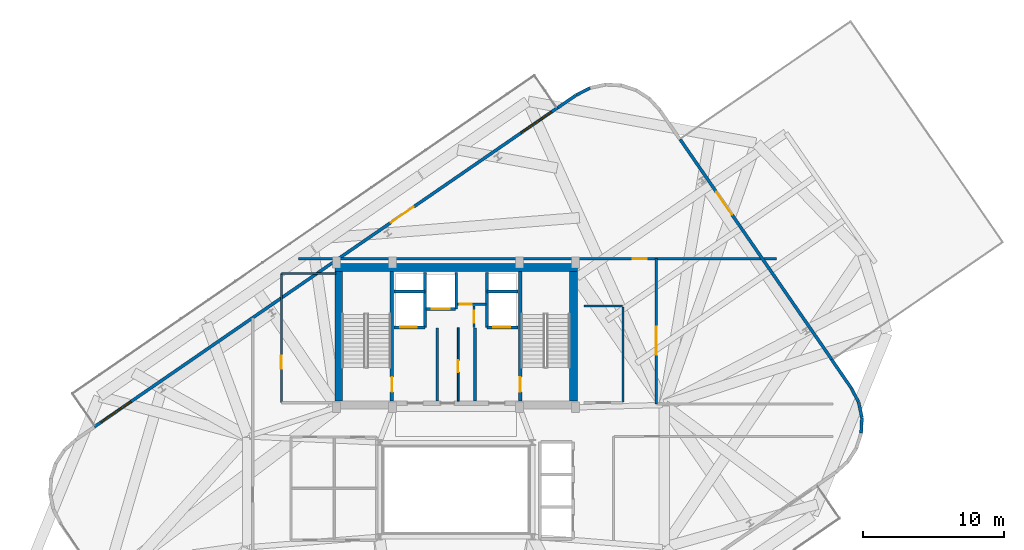
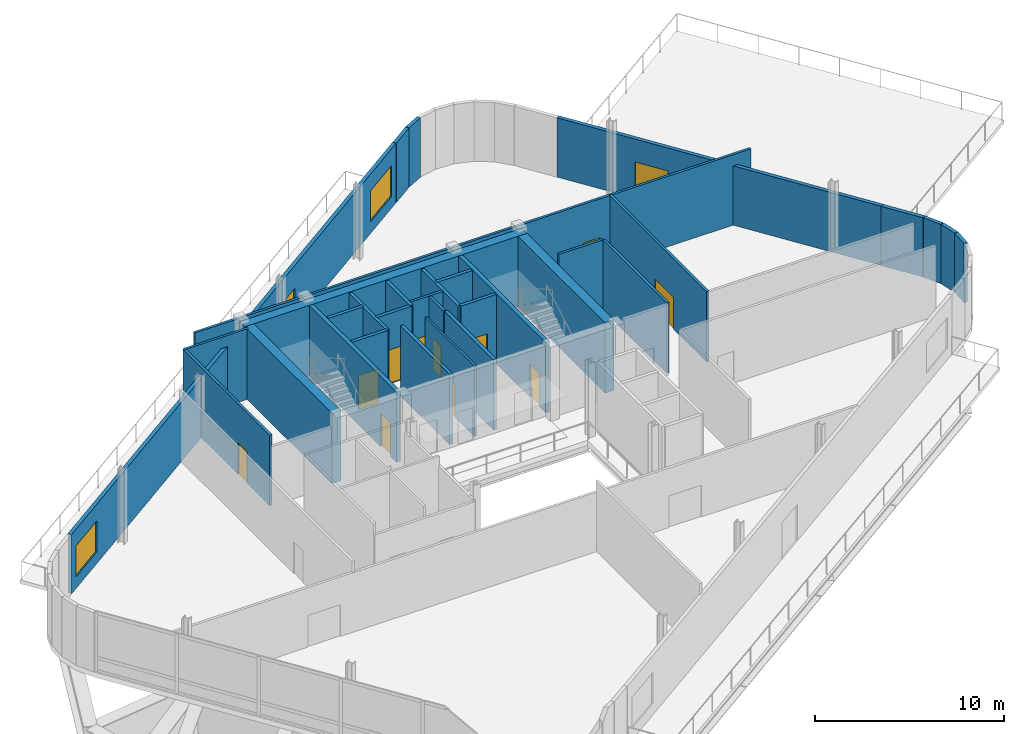
# One storey, part 12 of 18: 32 walls, 13 doors, 2 windows, 15 openings.
"""IFC4 building model written with IfcOpenShell, lengths in metres."""

from ifc_helpers import new_model, si_unit, direction, frame, frame_2d, origin, place, context, subcontext, project, spatial, rectangle, extrude, material, layer, layer_set, type_object, element, fill, save


model = new_model("IFC4")

# Units and contexts
model_context = context("Model", 3, precision=1e-05, world=origin(), true_north=direction((0.0, 1.0)))
body_context = subcontext(model_context, "Body", "Model", "MODEL_VIEW")
ifc_project = project(units=[si_unit("LENGTHUNIT", "METRE"), si_unit("AREAUNIT", "SQUARE_METRE"), si_unit("VOLUMEUNIT", "CUBIC_METRE"), si_unit("PLANEANGLEUNIT", "RADIAN"), si_unit("MASSUNIT", "GRAM", prefix="KILO")], contexts=[model_context])

# Site, building, storey
site_placement = place(None, origin())
site = spatial("IfcSite", under=ifc_project, at=site_placement, CompositionType="ELEMENT")
building_placement = place(site_placement, origin())
building = spatial("IfcBuilding", under=site, at=building_placement, Name="Varnelok Gate Tower", CompositionType="ELEMENT")
storey_placement = place(building_placement, frame((0.0, 0.0, 296.300048828125)))
storey = spatial("IfcBuildingStorey", under=building, at=storey_placement, Name="L76", CompositionType="ELEMENT", Elevation=296.300048828125)

# Wall, openings, door, windows
ifc_material_1 = material(Name="Concrete C45/55", Category="concrete")
ifc_layer_1 = layer(ifc_material_1, 0.219970703125)
ifc_layer_set_1 = layer_set([ifc_layer_1], Name="Concrete C45/55")
wall_type_1 = type_object("IfcWallType", Name="EW-BALC-220", PredefinedType="SOLIDWALL", material=ifc_layer_set_1)
wall_1_placement = place(storey_placement, frame((13.488525390625, 27.3701171875, 0.0), z_axis=(0.0, 0.0, 1.0), x_axis=(0.823532439547, 0.567269178622, 0.0)))
wall_1 = element("IfcWall", 1, at=wall_1_placement, inside=storey, type_object=wall_type_1, Name="L76 North Terrace Envelope Wall 2", PredefinedType="SOLIDWALL", context=body_context, shape_type="SweptSolid", body=[
    extrude(rectangle(XDim=39.999755859375, YDim=0.219970703125, at=frame_2d((20.0, 0.0))), origin(), (0.0, 0.0, 1.0), 3.829833984375),
])
opening_1_placement = place(wall_1_placement, frame((25.598388671875, 0.0, 0.0)))
opening_1 = element("IfcOpeningElement", 2, at=opening_1_placement, cuts=wall_1, Name="Opening LKD-1", PredefinedType="OPENING", context=body_context, shape_type="SweptSolid", body=[
    extrude(rectangle(XDim=1.949951171875, YDim=2.35009765625, at=frame_2d((0.97509765625, 1.175048828125))), frame((0.0, 0.119873046875, 0.0), z_axis=(0.0, -1.0, 0.0), x_axis=(1.0, 0.0, 0.0)), (0.0, 0.0, 1.0), 0.239990234375),
])
opening_2_placement = place(wall_1_placement, frame((0.550048828125, 0.0, 0.75)))
opening_2 = element("IfcOpeningElement", 3, at=opening_2_placement, cuts=wall_1, Name="Opening WN7", PredefinedType="OPENING", context=body_context, shape_type="SweptSolid", body=[
    extrude(rectangle(XDim=2.60009765625, YDim=2.0, at=frame_2d((1.300048828125, 1.0))), frame((0.0, 0.119873046875, 0.0), z_axis=(0.0, -1.0, 0.0), x_axis=(1.0, 0.0, 0.0)), (0.0, 0.0, 1.0), 0.239990234375),
])
opening_3_placement = place(wall_1_placement, frame((36.85009765625, 0.0, 0.75)))
opening_3 = element("IfcOpeningElement", 4, at=opening_3_placement, cuts=wall_1, Name="Opening WN7", PredefinedType="OPENING", context=body_context, shape_type="SweptSolid", body=[
    extrude(rectangle(XDim=2.60009765625, YDim=2.0, at=frame_2d((1.300048828125, 1.0))), frame((0.0, 0.119873046875, 0.0), z_axis=(0.0, -1.0, 0.0), x_axis=(1.0, 0.0, 0.0)), (0.0, 0.0, 1.0), 0.239990234375),
])
ifc_material_2 = material(Name="Anodized Aluminum Alloy 6063-T6", Category="aluminium")
door_type_1 = type_object("IfcDoorType", Name="DR-EXT-LOOK1950", OperationType="DOUBLE_DOOR_SINGLE_SWING", PredefinedType="DOOR", material=ifc_material_2)
door_1_placement = place(opening_1_placement, origin())
door_1 = element("IfcDoor", 5, at=door_1_placement, inside=storey, type_object=door_type_1, Name="L76 North Lookout Glazed Door 2", OperationType="DOUBLE_DOOR_SINGLE_SWING", OverallHeight=2.35009765625, OverallWidth=1.949951171875, PredefinedType="DOOR", context=body_context, shape_type="SweptSolid", body=[
    extrude(rectangle(XDim=1.949951171875, YDim=2.35009765625, at=frame_2d((0.97509765625, 1.175048828125))), frame((0.0, 0.02490234375, 0.0), z_axis=(0.0, -1.0, 0.0), x_axis=(1.0, 0.0, 0.0)), (0.0, 0.0, 1.0), 0.050048828125),
])
fill(opening_1, door_1)
ifc_material_3 = material(Name="Low-E Laminated Double Glazing IGU", Category="glass")
window_type = type_object("IfcWindowType", Name="WN-OBS-2600", PartitioningType="SINGLE_PANEL", PredefinedType="WINDOW", material=ifc_material_3)
window_1_placement = place(opening_2_placement, origin())
window_1 = element("IfcWindow", 6, at=window_1_placement, inside=storey, type_object=window_type, Name="L76 North Vision Window 2.1", OverallHeight=2.0, OverallWidth=2.60009765625, PartitioningType="SINGLE_PANEL", PredefinedType="WINDOW", context=body_context, shape_type="SweptSolid", body=[
    extrude(rectangle(XDim=2.60009765625, YDim=2.0, at=frame_2d((1.300048828125, 1.0))), frame((0.0, 0.030029296875, 0.0), z_axis=(0.0, -1.0, 0.0), x_axis=(1.0, 0.0, 0.0)), (0.0, 0.0, 1.0), 0.06005859375),
])
fill(opening_2, window_1)
window_2_placement = place(opening_3_placement, origin())
window_2 = element("IfcWindow", 7, at=window_2_placement, inside=storey, type_object=window_type, Name="L76 North Vision Window 2.2", OverallHeight=2.0, OverallWidth=2.60009765625, PartitioningType="SINGLE_PANEL", PredefinedType="WINDOW", context=body_context, shape_type="SweptSolid", body=[
    extrude(rectangle(XDim=2.60009765625, YDim=2.0, at=frame_2d((1.300048828125, 1.0))), frame((0.0, 0.030029296875, 0.0), z_axis=(0.0, -1.0, 0.0), x_axis=(1.0, 0.0, 0.0)), (0.0, 0.0, 1.0), 0.06005859375),
])
fill(opening_3, window_2)

# Wall, opening, door
wall_2_placement = place(storey_placement, frame((55.132080078125, 47.810302734375, 0.0), z_axis=(0.0, 0.0, 1.0), x_axis=(0.567274059121, -0.823529077719, 0.0)))
wall_2 = element("IfcWall", 8, at=wall_2_placement, inside=storey, type_object=wall_type_1, Name="L76 East Observation Terrace Portal Wall", PredefinedType="SOLIDWALL", context=body_context, shape_type="SweptSolid", body=[
    extrude(rectangle(XDim=19.000244140625, YDim=0.219970703125, at=frame_2d((9.5, 0.0))), origin(), (0.0, 0.0, 1.0), 3.829833984375),
])
opening_4_placement = place(wall_2_placement, frame((4.5625, 0.0, 0.0)))
opening_4 = element("IfcOpeningElement", 9, at=opening_4_placement, cuts=wall_2, Name="Opening LKD-1", PredefinedType="OPENING", context=body_context, shape_type="SweptSolid", body=[
    extrude(rectangle(XDim=1.949951171875, YDim=2.35009765625, at=frame_2d((0.97509765625, 1.175048828125))), frame((0.0, 0.119873046875, 0.0), z_axis=(0.0, -1.0, 0.0), x_axis=(1.0, 0.0, 0.0)), (0.0, 0.0, 1.0), 0.239990234375),
])
door_2_placement = place(opening_4_placement, origin())
door_2 = element("IfcDoor", 10, at=door_2_placement, inside=storey, type_object=door_type_1, Name="L76 East Cantilever Lookout Glazed Door", OperationType="DOUBLE_DOOR_SINGLE_SWING", OverallHeight=2.35009765625, OverallWidth=1.949951171875, PredefinedType="DOOR", context=body_context, shape_type="SweptSolid", body=[
    extrude(rectangle(XDim=1.949951171875, YDim=2.35009765625, at=frame_2d((0.97509765625, 1.175048828125))), frame((0.0, 0.02490234375, 0.0), z_axis=(0.0, -1.0, 0.0), x_axis=(1.0, 0.0, 0.0)), (0.0, 0.0, 1.0), 0.050048828125),
])
fill(opening_4, door_2)

# Walls
wall_3_placement = place(storey_placement, frame((68.0048828125, 26.920166015625, 0.0), z_axis=(0.0, 0.0, 1.0), x_axis=(0.051197599359, 0.99868854295, 0.0)))
element("IfcWall", 11, at=wall_3_placement, inside=storey, type_object=wall_type_1, Name="L76 Perimeter Facade Closure Wall 12", PredefinedType="SOLIDWALL", context=body_context, shape_type="SweptSolid", body=[
    extrude(rectangle(XDim=1.092041015625, YDim=0.219970703125, at=frame_2d((0.5458984375, 0.0))), origin(), (0.0, 0.0, 1.0), 3.829833984375),
])
wall_4_placement = place(storey_placement, frame((68.0556640625, 28.03515625, 0.0), z_axis=(0.0, 0.0, 1.0), x_axis=(-0.208994780981, 0.977916755927, 0.0)))
element("IfcWall", 12, at=wall_4_placement, inside=storey, type_object=wall_type_1, Name="L76 Perimeter Facade Closure Wall 13", PredefinedType="SOLIDWALL", context=body_context, shape_type="SweptSolid", body=[
    extrude(rectangle(XDim=1.09228515625, YDim=0.219970703125, at=frame_2d((0.546142578125, 0.0))), origin(), (0.0, 0.0, 1.0), 3.829833984375),
])
wall_5_placement = place(storey_placement, frame((67.816162109375, 29.12548828125, 0.0), z_axis=(0.0, 0.0, 1.0), x_axis=(-0.454833347613, 0.890576569363, 0.0)))
element("IfcWall", 13, at=wall_5_placement, inside=storey, type_object=wall_type_1, Name="L76 Perimeter Facade Closure Wall 14", PredefinedType="SOLIDWALL", context=body_context, shape_type="SweptSolid", body=[
    extrude(rectangle(XDim=1.099853515625, YDim=0.219970703125, at=frame_2d((0.5498046875, 0.0))), origin(), (0.0, 0.0, 1.0), 3.829833984375),
])
wall_6_placement = place(storey_placement, frame((67.301513671875, 30.12548828125, 0.0), z_axis=(0.0, 0.0, 1.0), x_axis=(-0.567196370166, 0.823582587037, 0.0)))
element("IfcWall", 14, at=wall_6_placement, inside=storey, type_object=wall_type_1, Name="L76 Perimeter Facade Closure Wall 15", PredefinedType="SOLIDWALL", context=body_context, shape_type="SweptSolid", body=[
    extrude(rectangle(XDim=2.46728515625, YDim=0.219970703125, at=frame_2d((1.233642578125, 0.0))), origin(), (0.0, 0.0, 1.0), 3.829833984375),
])
wall_7_placement = place(storey_placement, frame((48.726318359375, 51.4560546875, 0.0), z_axis=(0.0, 0.0, 1.0), x_axis=(-0.890532584352, -0.454919461231, 0.0)))
element("IfcWall", 15, at=wall_7_placement, inside=storey, type_object=wall_type_1, Name="L76 Perimeter Facade Closure Wall 22", PredefinedType="SOLIDWALL", context=body_context, shape_type="SweptSolid", body=[
    extrude(rectangle(XDim=1.10009765625, YDim=0.219970703125, at=frame_2d((0.550048828125, 0.0))), origin(), (0.0, 0.0, 1.0), 3.829833984375),
])
wall_8_placement = place(storey_placement, frame((47.72607421875, 50.94140625, 0.0), z_axis=(0.0, 0.0, 1.0), x_axis=(-0.823541565937, -0.567255929167, 0.0)))
element("IfcWall", 16, at=wall_8_placement, inside=storey, type_object=wall_type_1, Name="L76 Perimeter Facade Closure Wall 23", PredefinedType="SOLIDWALL", context=body_context, shape_type="SweptSolid", body=[
    extrude(rectangle(XDim=1.567138671875, YDim=0.219970703125, at=frame_2d((0.78369140625, 0.0))), origin(), (0.0, 0.0, 1.0), 3.829833984375),
])

# Wall, opening, door
ifc_material_4 = material(Name="Gypsum Plasterboard Acoustic Partition", Category="gypsum")
ifc_layer_2 = layer(ifc_material_4, 0.125)
ifc_layer_set_2 = layer_set([ifc_layer_2], Name="Gypsum Plasterboard Acoustic Partition")
wall_type_2 = type_object("IfcWallType", Name="PW-PART-125", PredefinedType="PARTITIONING", material=ifc_layer_set_2)
wall_9_placement = place(storey_placement, frame((39.35009765625, 29.199951171875, 0.0), z_axis=(0.0, 0.0, 1.0), x_axis=(0.0, 1.0, 0.0)))
wall_9 = element("IfcWall", 17, at=wall_9_placement, inside=storey, type_object=wall_type_2, Name="Interior Partition", PredefinedType="PARTITIONING", context=body_context, shape_type="SweptSolid", body=[
    extrude(rectangle(XDim=5.219970703125, YDim=0.125, at=frame_2d((2.60986328125, 0.0))), origin(), (0.0, 0.0, 1.0), 4.550048828125),
])
opening_5_placement = place(wall_9_placement, frame((2.050048828125, 0.0, 0.0)))
opening_5 = element("IfcOpeningElement", 18, at=opening_5_placement, cuts=wall_9, Name="Opening D-RS", PredefinedType="OPENING", context=body_context, shape_type="SweptSolid", body=[
    extrude(rectangle(XDim=0.85009765625, YDim=2.050048828125, at=frame_2d((0.425048828125, 1.02490234375))), frame((0.0, 0.072509765625, 0.0), z_axis=(0.0, -1.0, 0.0), x_axis=(1.0, 0.0, 0.0)), (0.0, 0.0, 1.0), 0.14501953125),
])
ifc_material_5 = material(Name="Galvanized Steel Grade S350GD", Category="steel")
door_type_2 = type_object("IfcDoorType", Name="DR-RISER-850", OperationType="NOTDEFINED", PredefinedType="DOOR", material=ifc_material_5)
door_3_placement = place(opening_5_placement, origin())
door_3 = element("IfcDoor", 19, at=door_3_placement, inside=storey, type_object=door_type_2, Name="L76 Housekeeping Linen Door", OperationType="SINGLE_SWING_RIGHT", OverallHeight=2.050048828125, OverallWidth=0.85009765625, PredefinedType="DOOR", context=body_context, shape_type="SweptSolid", body=[
    extrude(rectangle(XDim=0.85009765625, YDim=2.050048828125, at=frame_2d((0.425048828125, 1.02490234375))), frame((0.0, 0.02490234375, 0.0), z_axis=(0.0, -1.0, 0.0), x_axis=(1.0, 0.0, 0.0)), (0.0, 0.0, 1.0), 0.050048828125),
])
fill(opening_5, door_3)

ifc_layer_3 = layer(ifc_material_4, 0.14990234375)
ifc_layer_set_3 = layer_set([ifc_layer_3], Name="Gypsum Plasterboard Acoustic Partition")
wall_type_3 = type_object("IfcWallType", Name="PW-PART-150", PredefinedType="PARTITIONING", material=ifc_layer_set_3)
wall_10_placement = place(storey_placement, frame((53.43994140625, 29.0, 0.0), z_axis=(0.0, 0.0, 1.0), x_axis=(0.0, 1.0, 0.0)))
wall_10 = element("IfcWall", 20, at=wall_10_placement, inside=storey, type_object=wall_type_3, Name="Interior Partition", PredefinedType="PARTITIONING", context=body_context, shape_type="SweptSolid", body=[
    extrude(rectangle(XDim=10.320068359375, YDim=0.14990234375, at=frame_2d((5.16015625, 0.0))), origin(), (0.0, 0.0, 1.0), 4.550048828125),
])
opening_6_placement = place(wall_10_placement, frame((3.5, 0.0, 0.0)))
opening_6 = element("IfcOpeningElement", 21, at=opening_6_placement, cuts=wall_10, Name="Opening D-BL", PredefinedType="OPENING", context=body_context, shape_type="SweptSolid", body=[
    extrude(rectangle(XDim=2.0, YDim=2.050048828125, at=frame_2d((1.0, 1.02490234375))), frame((0.0, 0.0849609375, 0.0), z_axis=(0.0, -1.0, 0.0), x_axis=(1.0, 0.0, 0.0)), (0.0, 0.0, 1.0), 0.169921875),
])
ifc_material_6 = material(Name="Engineered Hardwood Timber", Category="wood")
door_type_3 = type_object("IfcDoorType", Name="DR-BALL-2000", OperationType="DOUBLE_DOOR_SINGLE_SWING", PredefinedType="DOOR", material=ifc_material_6)
door_4_placement = place(opening_6_placement, origin())
door_4 = element("IfcDoor", 22, at=door_4_placement, inside=storey, type_object=door_type_3, Name="L76 Observation Exhibition Portal", OperationType="DOUBLE_DOOR_SINGLE_SWING", OverallHeight=2.050048828125, OverallWidth=2.0, PredefinedType="DOOR", context=body_context, shape_type="SweptSolid", body=[
    extrude(rectangle(XDim=2.0, YDim=2.050048828125, at=frame_2d((1.0, 1.02490234375))), frame((0.0, 0.02490234375, 0.0), z_axis=(0.0, -1.0, 0.0), x_axis=(1.0, 0.0, 0.0)), (0.0, 0.0, 1.0), 0.050048828125),
])
fill(opening_6, door_4)

wall_11_placement = place(storey_placement, frame((28.0, 39.320068359375, 0.0), z_axis=(0.0, 0.0, 1.0), x_axis=(1.0, 0.0, 0.0)))
wall_11 = element("IfcWall", 23, at=wall_11_placement, inside=storey, type_object=wall_type_3, Name="Interior Partition", PredefinedType="PARTITIONING", context=body_context, shape_type="SweptSolid", body=[
    extrude(rectangle(XDim=34.0, YDim=0.14990234375, at=frame_2d((17.0, 0.0))), origin(), (0.0, 0.0, 1.0), 4.550048828125),
])
opening_7_placement = place(wall_11_placement, frame((23.75, 0.0, 0.0)))
opening_7 = element("IfcOpeningElement", 24, at=opening_7_placement, cuts=wall_11, Name="Opening D-I1", PredefinedType="OPENING", context=body_context, shape_type="SweptSolid", body=[
    extrude(rectangle(XDim=1.0, YDim=2.050048828125, at=frame_2d((0.5, 1.02490234375))), frame((0.0, 0.0849609375, 0.0), z_axis=(0.0, -1.0, 0.0), x_axis=(1.0, 0.0, 0.0)), (0.0, 0.0, 1.0), 0.169921875),
])
door_type_4 = type_object("IfcDoorType", Name="DR-INT-1000", OperationType="NOTDEFINED", PredefinedType="DOOR", material=ifc_material_6)
door_5_placement = place(opening_7_placement, origin())
door_5 = element("IfcDoor", 25, at=door_5_placement, inside=storey, type_object=door_type_4, Name="L76 Telescope Salon Portal", OperationType="SINGLE_SWING_RIGHT", OverallHeight=2.050048828125, OverallWidth=1.0, PredefinedType="DOOR", context=body_context, shape_type="SweptSolid", body=[
    extrude(rectangle(XDim=1.0, YDim=2.050048828125, at=frame_2d((0.5, 1.02490234375))), frame((0.0, 0.02490234375, 0.0), z_axis=(0.0, -1.0, 0.0), x_axis=(1.0, 0.0, 0.0)), (0.0, 0.0, 1.0), 0.050048828125),
])
fill(opening_7, door_5)

wall_12_placement = place(storey_placement, frame((39.300048828125, 36.080078125, 0.0), z_axis=(0.0, 0.0, 1.0), x_axis=(1.0, 0.0, 0.0)))
wall_12 = element("IfcWall", 26, at=wall_12_placement, inside=storey, type_object=wall_type_3, Name="L76 Electrical Closet South Wall", PredefinedType="PARTITIONING", context=body_context, shape_type="SweptSolid", body=[
    extrude(rectangle(XDim=2.02001953125, YDim=0.14990234375, at=frame_2d((1.010009765625, 0.0))), origin(), (0.0, 0.0, 1.0), 4.550048828125),
])
opening_8_placement = place(wall_12_placement, frame((0.179931640625, 0.0, 0.0)))
opening_8 = element("IfcOpeningElement", 27, at=opening_8_placement, cuts=wall_12, Name="Opening D-RS", PredefinedType="OPENING", context=body_context, shape_type="SweptSolid", body=[
    extrude(rectangle(XDim=0.85009765625, YDim=2.050048828125, at=frame_2d((0.425048828125, 1.02490234375))), frame((0.0, 0.0849609375, 0.0), z_axis=(0.0, -1.0, 0.0), x_axis=(1.0, 0.0, 0.0)), (0.0, 0.0, 1.0), 0.169921875),
])
door_6_placement = place(opening_8_placement, origin())
door_6 = element("IfcDoor", 28, at=door_6_placement, inside=storey, type_object=door_type_2, Name="L76 Electrical Closet Door", OperationType="SINGLE_SWING_RIGHT", OverallHeight=2.050048828125, OverallWidth=0.85009765625, PredefinedType="DOOR", context=body_context, shape_type="SweptSolid", body=[
    extrude(rectangle(XDim=0.85009765625, YDim=2.050048828125, at=frame_2d((0.425048828125, 1.02490234375))), frame((0.0, 0.02490234375, 0.0), z_axis=(0.0, -1.0, 0.0), x_axis=(1.0, 0.0, 0.0)), (0.0, 0.0, 1.0), 0.050048828125),
])
fill(opening_8, door_6)

wall_13_placement = place(storey_placement, frame((40.47998046875, 34.43994140625, 0.0), z_axis=(0.0, 0.0, 1.0), x_axis=(0.0, 1.0, 0.0)))
wall_13 = element("IfcWall", 29, at=wall_13_placement, inside=storey, type_object=wall_type_3, Name="L76 Telecoms Closet West Wall", PredefinedType="PARTITIONING", context=body_context, shape_type="SweptSolid", body=[
    extrude(rectangle(XDim=1.52001953125, YDim=0.14990234375, at=frame_2d((0.760009765625, 0.0))), origin(), (0.0, 0.0, 1.0), 4.550048828125),
])
opening_9_placement = place(wall_13_placement, frame((0.320068359375, 0.0, 0.0)))
opening_9 = element("IfcOpeningElement", 30, at=opening_9_placement, cuts=wall_13, Name="Opening D-RS", PredefinedType="OPENING", context=body_context, shape_type="SweptSolid", body=[
    extrude(rectangle(XDim=0.85009765625, YDim=2.050048828125, at=frame_2d((0.425048828125, 1.02490234375))), frame((0.0, 0.0849609375, 0.0), z_axis=(0.0, -1.0, 0.0), x_axis=(1.0, 0.0, 0.0)), (0.0, 0.0, 1.0), 0.169921875),
])
door_7_placement = place(opening_9_placement, origin())
door_7 = element("IfcDoor", 31, at=door_7_placement, inside=storey, type_object=door_type_2, Name="L76 Telecoms Closet Door", OperationType="SINGLE_SWING_LEFT", OverallHeight=2.050048828125, OverallWidth=0.85009765625, PredefinedType="DOOR", context=body_context, shape_type="SweptSolid", body=[
    extrude(rectangle(XDim=0.85009765625, YDim=2.050048828125, at=frame_2d((0.425048828125, 1.02490234375))), frame((0.0, 0.02490234375, 0.0), z_axis=(0.0, -1.0, 0.0), x_axis=(1.0, 0.0, 0.0)), (0.0, 0.0, 1.0), 0.050048828125),
])
fill(opening_9, door_7)

# Wall
wall_14_placement = place(storey_placement, frame((26.780029296875, 38.260009765625, 0.0), z_axis=(0.0, 0.0, 1.0), x_axis=(1.0, 0.0, 0.0)))
element("IfcWall", 32, at=wall_14_placement, inside=storey, type_object=wall_type_3, Name="Interior Partition", PredefinedType="PARTITIONING", context=body_context, shape_type="SweptSolid", body=[
    extrude(rectangle(XDim=3.89990234375, YDim=0.14990234375, at=frame_2d((1.949951171875, 0.0))), origin(), (0.0, 0.0, 1.0), 4.550048828125),
])

# Wall, opening, door
wall_15_placement = place(storey_placement, frame((26.780029296875, 29.080078125, 0.0), z_axis=(0.0, 0.0, 1.0), x_axis=(0.0, 1.0, 0.0)))
wall_15 = element("IfcWall", 33, at=wall_15_placement, inside=storey, type_object=wall_type_3, Name="Interior Partition", PredefinedType="PARTITIONING", context=body_context, shape_type="SweptSolid", body=[
    extrude(rectangle(XDim=9.179931640625, YDim=0.14990234375, at=frame_2d((4.58984375, 0.0))), origin(), (0.0, 0.0, 1.0), 4.550048828125),
])
opening_10_placement = place(wall_15_placement, frame((2.39990234375, 0.0, 0.0)))
opening_10 = element("IfcOpeningElement", 34, at=opening_10_placement, cuts=wall_15, Name="Opening D-I2", PredefinedType="OPENING", context=body_context, shape_type="SweptSolid", body=[
    extrude(rectangle(XDim=0.949951171875, YDim=2.050048828125, at=frame_2d((0.47509765625, 1.02490234375))), frame((0.0, 0.0849609375, 0.0), z_axis=(0.0, -1.0, 0.0), x_axis=(1.0, 0.0, 0.0)), (0.0, 0.0, 1.0), 0.169921875),
])
door_type_5 = type_object("IfcDoorType", Name="DR-INT-950", OperationType="NOTDEFINED", PredefinedType="DOOR", material=ifc_material_6)
door_8_placement = place(opening_10_placement, origin())
door_8 = element("IfcDoor", 35, at=door_8_placement, inside=storey, type_object=door_type_5, Name="L76 Reclaimed Housekeeping Door", OperationType="SINGLE_SWING_RIGHT", OverallHeight=2.050048828125, OverallWidth=0.949951171875, PredefinedType="DOOR", context=body_context, shape_type="SweptSolid", body=[
    extrude(rectangle(XDim=0.949951171875, YDim=2.050048828125, at=frame_2d((0.47509765625, 1.02490234375))), frame((0.0, 0.02490234375, 0.0), z_axis=(0.0, -1.0, 0.0), x_axis=(1.0, 0.0, 0.0)), (0.0, 0.0, 1.0), 0.050048828125),
])
fill(opening_10, door_8)

# Walls
wall_16_placement = place(storey_placement, frame((48.300048828125, 35.9599609375, 0.0), z_axis=(0.0, 0.0, 1.0), x_axis=(1.0, 0.0, 0.0)))
element("IfcWall", 36, at=wall_16_placement, inside=storey, type_object=wall_type_3, Name="Interior Partition", PredefinedType="PARTITIONING", context=body_context, shape_type="SweptSolid", body=[
    extrude(rectangle(XDim=2.719970703125, YDim=0.14990234375, at=frame_2d((1.35986328125, 0.0))), origin(), (0.0, 0.0, 1.0), 4.550048828125),
])
wall_17_placement = place(storey_placement, frame((51.080078125, 29.139892578125, 0.0), z_axis=(0.0, 0.0, 1.0), x_axis=(0.0, 1.0, 0.0)))
element("IfcWall", 37, at=wall_17_placement, inside=storey, type_object=wall_type_3, Name="Interior Partition", PredefinedType="PARTITIONING", context=body_context, shape_type="SweptSolid", body=[
    extrude(rectangle(XDim=6.760009765625, YDim=0.14990234375, at=frame_2d((3.3798828125, 0.0))), origin(), (0.0, 0.0, 1.0), 4.550048828125),
])
ifc_material_7 = material(Name="Concrete C35/45", Category="concrete")
ifc_layer_4 = layer(ifc_material_7, 0.199951171875)
ifc_layer_set_4 = layer_set([ifc_layer_4], Name="Concrete C35/45")
wall_type_4 = type_object("IfcWallType", Name="PW-SHAFT-200", PredefinedType="PARTITIONING", material=ifc_layer_set_4)
for number, where, z_axis, x_axis, name in (
    (38, (37.860107421875, 29.199951171875, 0.0), (0.0, 0.0, 1.0), (0.0, 1.0, 0.0), "L76 West FF Lobby Rated Wall"),
    (39, (40.5400390625, 29.199951171875, 0.0), (0.0, 0.0, 1.0), (0.0, 1.0, 0.0), "L76 East FF Lobby Rated Wall"),
):
    element("IfcWall", number, at=place(storey_placement, frame(where, z_axis=z_axis, x_axis=x_axis)), inside=storey, type_object=wall_type_4, Name=name, PredefinedType="PARTITIONING", context=body_context, shape_type="SweptSolid", body=[
        extrude(rectangle(XDim=5.179931640625, YDim=0.199951171875, at=frame_2d((2.58984375, 0.0))), origin(), (0.0, 0.0, 1.0), 4.550048828125),
    ])

# Wall, opening, door
wall_18_placement = place(storey_placement, frame((34.800048828125, 34.43994140625, 0.0), z_axis=(0.0, 0.0, 1.0), x_axis=(1.0, 0.0, 0.0)))
wall_18 = element("IfcWall", 40, at=wall_18_placement, inside=storey, type_object=wall_type_4, Name="L76 FF1 Shaft Front Wall", PredefinedType="PARTITIONING", context=body_context, shape_type="SweptSolid", body=[
    extrude(rectangle(XDim=2.179931640625, YDim=0.199951171875, at=frame_2d((1.08984375, 0.0))), origin(), (0.0, 0.0, 1.0), 4.550048828125),
])
opening_11_placement = place(wall_18_placement, frame((0.419921875, 0.0, 0.0)))
opening_11 = element("IfcOpeningElement", 41, at=opening_11_placement, cuts=wall_18, Name="Opening LD-FF1", PredefinedType="OPENING", context=body_context, shape_type="SweptSolid", body=[
    extrude(rectangle(XDim=1.199951171875, YDim=2.199951171875, at=frame_2d((0.60009765625, 1.10009765625))), frame((0.0, 0.10986328125, 0.0), z_axis=(0.0, -1.0, 0.0), x_axis=(1.0, 0.0, 0.0)), (0.0, 0.0, 1.0), 0.219970703125),
])
door_type_6 = type_object("IfcDoorType", Name="DR-LIFT-FF1200", OperationType="SLIDING_TO_LEFT", PredefinedType="DOOR", material=ifc_material_5)
door_9_placement = place(opening_11_placement, origin())
door_9 = element("IfcDoor", 42, at=door_9_placement, inside=storey, type_object=door_type_6, Name="L76 Firefighting Lift Landing Door LD-FF1", OperationType="SLIDING_TO_LEFT", OverallHeight=2.199951171875, OverallWidth=1.199951171875, PredefinedType="DOOR", context=body_context, shape_type="SweptSolid", body=[
    extrude(rectangle(XDim=1.199951171875, YDim=2.199951171875, at=frame_2d((0.60009765625, 1.10009765625))), frame((0.0, 0.02490234375, 0.0), z_axis=(0.0, -1.0, 0.0), x_axis=(1.0, 0.0, 0.0)), (0.0, 0.0, 1.0), 0.050048828125),
])
fill(opening_11, door_9)

# Walls
wall_19_placement = place(storey_placement, frame((34.800048828125, 36.97998046875, 0.0), z_axis=(0.0, 0.0, 1.0), x_axis=(1.0, 0.0, 0.0)))
element("IfcWall", 43, at=wall_19_placement, inside=storey, type_object=wall_type_4, Name="L76 FF1 Shaft North Wall", PredefinedType="PARTITIONING", context=body_context, shape_type="SweptSolid", body=[
    extrude(rectangle(XDim=2.179931640625, YDim=0.199951171875, at=frame_2d((1.08984375, 0.0))), origin(), (0.0, 0.0, 1.0), 4.550048828125),
])
wall_20_placement = place(storey_placement, frame((37.0, 34.43994140625, 0.0), z_axis=(0.0, 0.0, 1.0), x_axis=(0.0, 1.0, 0.0)))
element("IfcWall", 44, at=wall_20_placement, inside=storey, type_object=wall_type_4, Name="L76 FF1 Shaft Side Wall", PredefinedType="PARTITIONING", context=body_context, shape_type="SweptSolid", body=[
    extrude(rectangle(XDim=3.900146484375, YDim=0.199951171875, at=frame_2d((1.9501953125, 0.0))), origin(), (0.0, 0.0, 1.0), 4.550048828125),
])

# Wall, opening, door
wall_21_placement = place(storey_placement, frame((41.419921875, 34.43994140625, 0.0), z_axis=(0.0, 0.0, 1.0), x_axis=(1.0, 0.0, 0.0)))
wall_21 = element("IfcWall", 45, at=wall_21_placement, inside=storey, type_object=wall_type_4, Name="L76 FF2 Shaft Front Wall", PredefinedType="PARTITIONING", context=body_context, shape_type="SweptSolid", body=[
    extrude(rectangle(XDim=2.18017578125, YDim=0.199951171875, at=frame_2d((1.090087890625, 0.0))), origin(), (0.0, 0.0, 1.0), 4.550048828125),
])
opening_12_placement = place(wall_21_placement, frame((0.419921875, 0.0, 0.0)))
opening_12 = element("IfcOpeningElement", 46, at=opening_12_placement, cuts=wall_21, Name="Opening LD-FF2", PredefinedType="OPENING", context=body_context, shape_type="SweptSolid", body=[
    extrude(rectangle(XDim=1.199951171875, YDim=2.199951171875, at=frame_2d((0.60009765625, 1.10009765625))), frame((0.0, 0.10986328125, 0.0), z_axis=(0.0, -1.0, 0.0), x_axis=(1.0, 0.0, 0.0)), (0.0, 0.0, 1.0), 0.219970703125),
])
door_10_placement = place(opening_12_placement, origin())
door_10 = element("IfcDoor", 47, at=door_10_placement, inside=storey, type_object=door_type_6, Name="L76 Firefighting Lift Landing Door LD-FF2", OperationType="SLIDING_TO_LEFT", OverallHeight=2.199951171875, OverallWidth=1.199951171875, PredefinedType="DOOR", context=body_context, shape_type="SweptSolid", body=[
    extrude(rectangle(XDim=1.199951171875, YDim=2.199951171875, at=frame_2d((0.60009765625, 1.10009765625))), frame((0.0, 0.02490234375, 0.0), z_axis=(0.0, -1.0, 0.0), x_axis=(1.0, 0.0, 0.0)), (0.0, 0.0, 1.0), 0.050048828125),
])
fill(opening_12, door_10)

# Walls
wall_22_placement = place(storey_placement, frame((41.419921875, 36.97998046875, 0.0), z_axis=(0.0, 0.0, 1.0), x_axis=(1.0, 0.0, 0.0)))
element("IfcWall", 48, at=wall_22_placement, inside=storey, type_object=wall_type_4, Name="L76 FF2 Shaft North Wall", PredefinedType="PARTITIONING", context=body_context, shape_type="SweptSolid", body=[
    extrude(rectangle(XDim=2.18017578125, YDim=0.199951171875, at=frame_2d((1.090087890625, 0.0))), origin(), (0.0, 0.0, 1.0), 4.550048828125),
])
wall_23_placement = place(storey_placement, frame((41.39990234375, 34.43994140625, 0.0), z_axis=(0.0, 0.0, 1.0), x_axis=(0.0, 1.0, 0.0)))
element("IfcWall", 49, at=wall_23_placement, inside=storey, type_object=wall_type_4, Name="L76 FF2 Shaft Side Wall", PredefinedType="PARTITIONING", context=body_context, shape_type="SweptSolid", body=[
    extrude(rectangle(XDim=3.900146484375, YDim=0.199951171875, at=frame_2d((1.9501953125, 0.0))), origin(), (0.0, 0.0, 1.0), 4.550048828125),
])

# Wall, opening, door
wall_24_placement = place(storey_placement, frame((37.06005859375, 35.75, 0.0), z_axis=(0.0, 0.0, 1.0), x_axis=(1.0, 0.0, 0.0)))
wall_24 = element("IfcWall", 50, at=wall_24_placement, inside=storey, type_object=wall_type_4, Name="L76 SV1 Shaft Front Wall", PredefinedType="PARTITIONING", context=body_context, shape_type="SweptSolid", body=[
    extrude(rectangle(XDim=2.119873046875, YDim=0.199951171875, at=frame_2d((1.06005859375, 0.0))), origin(), (0.0, 0.0, 1.0), 4.550048828125),
])
opening_13_placement = place(wall_24_placement, frame((0.39990234375, 0.0, 0.0)))
opening_13 = element("IfcOpeningElement", 51, at=opening_13_placement, cuts=wall_24, Name="Opening LD-SV1", PredefinedType="OPENING", context=body_context, shape_type="SweptSolid", body=[
    extrude(rectangle(XDim=1.300048828125, YDim=2.199951171875, at=frame_2d((0.64990234375, 1.10009765625))), frame((0.0, 0.10986328125, 0.0), z_axis=(0.0, -1.0, 0.0), x_axis=(1.0, 0.0, 0.0)), (0.0, 0.0, 1.0), 0.219970703125),
])
door_type_7 = type_object("IfcDoorType", Name="DR-LIFT-SV1300", OperationType="SLIDING_TO_LEFT", PredefinedType="DOOR", material=ifc_material_5)
door_11_placement = place(opening_13_placement, origin())
door_11 = element("IfcDoor", 52, at=door_11_placement, inside=storey, type_object=door_type_7, Name="L76 Service Lift Landing Door LD-SV1", OperationType="SLIDING_TO_LEFT", OverallHeight=2.199951171875, OverallWidth=1.300048828125, PredefinedType="DOOR", context=body_context, shape_type="SweptSolid", body=[
    extrude(rectangle(XDim=1.300048828125, YDim=2.199951171875, at=frame_2d((0.64990234375, 1.10009765625))), frame((0.0, 0.02490234375, 0.0), z_axis=(0.0, -1.0, 0.0), x_axis=(1.0, 0.0, 0.0)), (0.0, 0.0, 1.0), 0.050048828125),
])
fill(opening_13, door_11)

# Walls
wall_25_placement = place(storey_placement, frame((39.219970703125, 35.75, 0.0), z_axis=(0.0, 0.0, 1.0), x_axis=(0.0, 1.0, 0.0)))
element("IfcWall", 53, at=wall_25_placement, inside=storey, type_object=wall_type_4, Name="L76 SV1 Shaft East Wall", PredefinedType="PARTITIONING", context=body_context, shape_type="SweptSolid", body=[
    extrude(rectangle(XDim=2.590087890625, YDim=0.199951171875, at=frame_2d((1.294921875, 0.0))), origin(), (0.0, 0.0, 1.0), 4.550048828125),
])
ifc_material_8 = material(Name="Concrete C60/75", Category="concrete")
ifc_layer_5 = layer(ifc_material_8, 0.550048828125)
ifc_layer_set_5 = layer_set([ifc_layer_5], Name="Concrete C60/75")
wall_type_5 = type_object("IfcWallType", Name="SW-CORE-550", PredefinedType="SHEAR", material=ifc_layer_set_5)
wall_26_placement = place(storey_placement, frame((30.580078125, 38.695068359375, 0.0), z_axis=(0.0, 0.0, 1.0), x_axis=(1.0, 0.0, 0.0)))
element("IfcWall", 54, at=wall_26_placement, inside=storey, type_object=wall_type_5, Name="L76 Rear Core North Shear Wall", PredefinedType="SHEAR", context=body_context, shape_type="SweptSolid", body=[
    extrude(rectangle(XDim=17.239990234375, YDim=0.550048828125, at=frame_2d((8.6201171875, 0.0))), origin(), (0.0, 0.0, 1.0), 4.550048828125),
])
for number, where, z_axis, x_axis, name in (
    (55, (30.85498046875, 29.199951171875, 0.0), (0.0, 0.0, 1.0), (0.0, 1.0, 0.0), "L76 Rear Core West Shear Wall"),
    (56, (47.544921875, 29.199951171875, 0.0), (0.0, 0.0, 1.0), (0.0, 1.0, 0.0), "L76 Rear Core East Shear Wall"),
):
    element("IfcWall", number, at=place(storey_placement, frame(where, z_axis=z_axis, x_axis=x_axis)), inside=storey, type_object=wall_type_5, Name=name, PredefinedType="SHEAR", context=body_context, shape_type="SweptSolid", body=[
        extrude(rectangle(XDim=9.219970703125, YDim=0.550048828125, at=frame_2d((4.60986328125, 0.0))), origin(), (0.0, 0.0, 1.0), 4.550048828125),
    ])

# Wall, opening, door
ifc_layer_6 = layer(ifc_material_8, 0.25)
ifc_layer_set_6 = layer_set([ifc_layer_6], Name="Concrete C60/75")
wall_type_6 = type_object("IfcWallType", Name="SW-SHAFT-250", PredefinedType="SHEAR", material=ifc_layer_set_6)
wall_27_placement = place(storey_placement, frame((34.639892578125, 29.199951171875, 0.0), z_axis=(0.0, 0.0, 1.0), x_axis=(0.0, 1.0, 0.0)))
wall_27 = element("IfcWall", 57, at=wall_27_placement, inside=storey, type_object=wall_type_6, Name="L76 Stair ST-1 East Shear Wall", PredefinedType="SHEAR", context=body_context, shape_type="SweptSolid", body=[
    extrude(rectangle(XDim=9.219970703125, YDim=0.25, at=frame_2d((4.60986328125, 0.0))), origin(), (0.0, 0.0, 1.0), 4.550048828125),
])
opening_14_placement = place(wall_27_placement, frame((0.64990234375, 0.0, 0.0)))
opening_14 = element("IfcOpeningElement", 58, at=opening_14_placement, cuts=wall_27, Name="Opening D-ST", PredefinedType="OPENING", context=body_context, shape_type="SweptSolid", body=[
    extrude(rectangle(XDim=1.050048828125, YDim=2.14990234375, at=frame_2d((0.52490234375, 1.074951171875))), frame((0.0, 0.135009765625, 0.0), z_axis=(0.0, -1.0, 0.0), x_axis=(1.0, 0.0, 0.0)), (0.0, 0.0, 1.0), 0.27001953125),
])
door_type_8 = type_object("IfcDoorType", Name="DR-STAIR-1050", OperationType="NOTDEFINED", PredefinedType="DOOR", material=ifc_material_5)
door_12_placement = place(opening_14_placement, origin())
door_12 = element("IfcDoor", 59, at=door_12_placement, inside=storey, type_object=door_type_8, Name="L76 Exit Stair ST-1 Fire Door", OperationType="SINGLE_SWING_LEFT", OverallHeight=2.14990234375, OverallWidth=1.050048828125, PredefinedType="DOOR", context=body_context, shape_type="SweptSolid", body=[
    extrude(rectangle(XDim=1.050048828125, YDim=2.14990234375, at=frame_2d((0.52490234375, 1.074951171875))), frame((0.0, 0.02490234375, 0.0), z_axis=(0.0, -1.0, 0.0), x_axis=(1.0, 0.0, 0.0)), (0.0, 0.0, 1.0), 0.050048828125),
])
fill(opening_14, door_12)

wall_28_placement = place(storey_placement, frame((43.760009765625, 29.199951171875, 0.0), z_axis=(0.0, 0.0, 1.0), x_axis=(0.0, 1.0, 0.0)))
wall_28 = element("IfcWall", 60, at=wall_28_placement, inside=storey, type_object=wall_type_6, Name="L76 Stair ST-2 West Shear Wall", PredefinedType="SHEAR", context=body_context, shape_type="SweptSolid", body=[
    extrude(rectangle(XDim=9.219970703125, YDim=0.25, at=frame_2d((4.60986328125, 0.0))), origin(), (0.0, 0.0, 1.0), 4.550048828125),
])
opening_15_placement = place(wall_28_placement, frame((0.64990234375, 0.0, 0.0)))
opening_15 = element("IfcOpeningElement", 61, at=opening_15_placement, cuts=wall_28, Name="Opening D-ST", PredefinedType="OPENING", context=body_context, shape_type="SweptSolid", body=[
    extrude(rectangle(XDim=1.050048828125, YDim=2.14990234375, at=frame_2d((0.52490234375, 1.074951171875))), frame((0.0, 0.135009765625, 0.0), z_axis=(0.0, -1.0, 0.0), x_axis=(1.0, 0.0, 0.0)), (0.0, 0.0, 1.0), 0.27001953125),
])
door_13_placement = place(opening_15_placement, origin())
door_13 = element("IfcDoor", 62, at=door_13_placement, inside=storey, type_object=door_type_8, Name="L76 Exit Stair ST-2 Fire Door", OperationType="SINGLE_SWING_RIGHT", OverallHeight=2.14990234375, OverallWidth=1.050048828125, PredefinedType="DOOR", context=body_context, shape_type="SweptSolid", body=[
    extrude(rectangle(XDim=1.050048828125, YDim=2.14990234375, at=frame_2d((0.52490234375, 1.074951171875))), frame((0.0, 0.02490234375, 0.0), z_axis=(0.0, -1.0, 0.0), x_axis=(1.0, 0.0, 0.0)), (0.0, 0.0, 1.0), 0.050048828125),
])
fill(opening_15, door_13)

save(model, "model.ifc")
